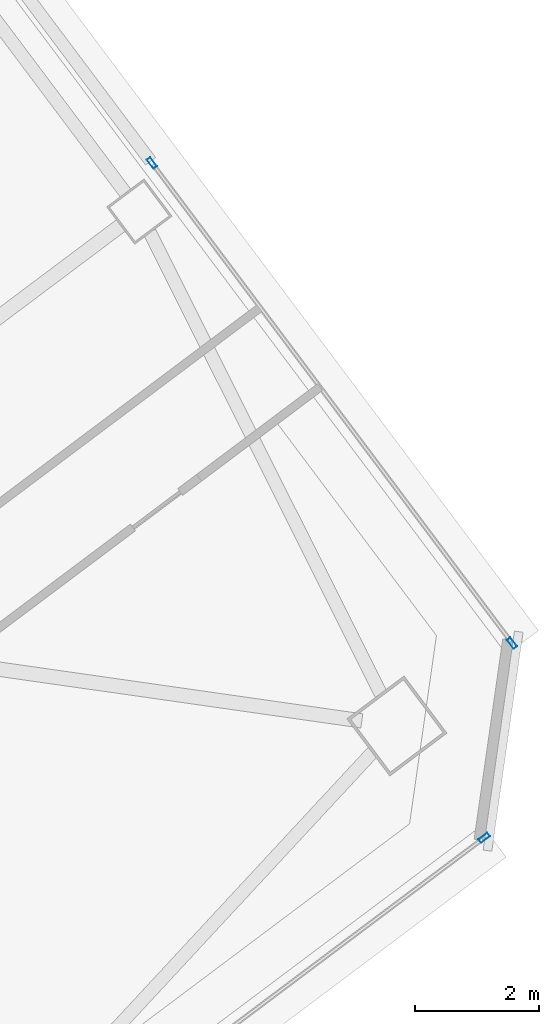
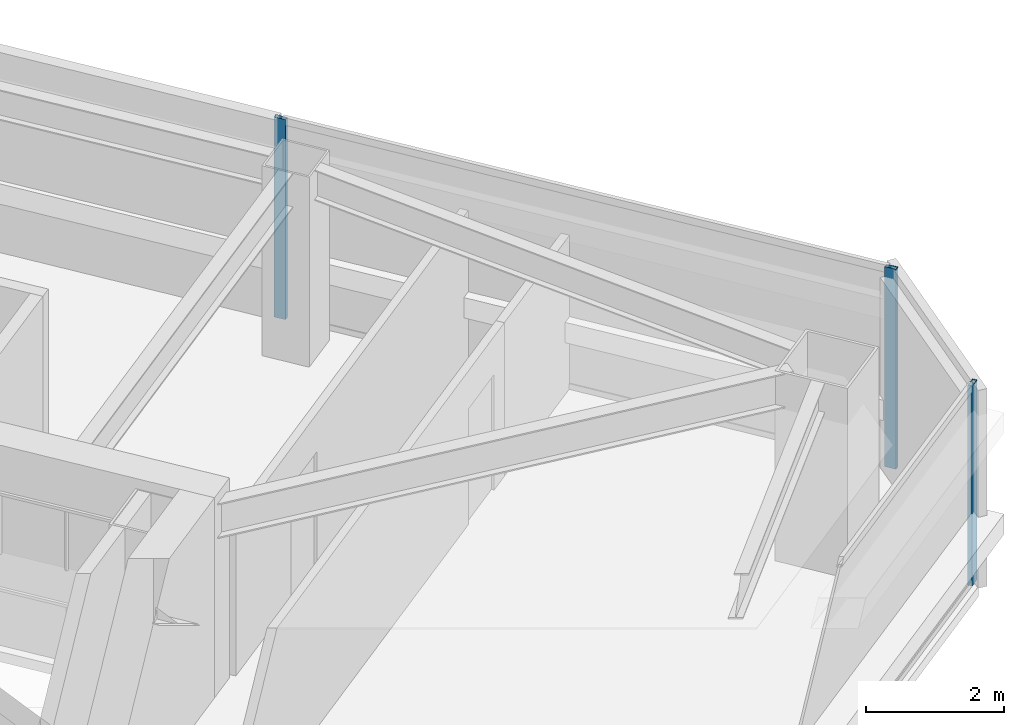
# One storey, part 26 of 41: 3 members, 2 elements without a shape of their own.
"""IFC4 building model written with IfcOpenShell, lengths in metres."""

import ifcopenshell
import ifcopenshell.guid

model = None  # the IFC model being written
_history = None  # IfcOwnerHistory: only IFC2X3 demands one
_inside = {}  # id of a spatial element -> (the spatial element, [elements in it])
_under = {}  # id of a project, library or spatial element -> (it, [spatial elements below it])
_declared = {}  # id of a project -> (the project, [libraries it declares])
_typed = {}  # id of a type object -> (the type object, [elements of that type])
_made_of = {}  # id of a material, layer set ... -> (it, [elements and type objects made of it])


def new_model(schema):
    """Start an empty IFC model of exactly this schema.

    Asked for "IFC4X3", IfcOpenShell would pick the latest addendum, in which some entities
    have other attributes; the version numbers below select the first issue.
    IFC2X3 requires an IfcOwnerHistory on every rooted entity: one is made here for all.
    """
    global model, _history
    if schema == "IFC4X3":
        model = ifcopenshell.file(schema_version=(4, 3, 0, 0))
    else:
        model = ifcopenshell.file(schema=schema)
    _inside.clear()
    _under.clear()
    _declared.clear()
    _typed.clear()
    _made_of.clear()
    _history = None
    if model.schema == "IFC2X3":
        org = make("IfcOrganization", Name="unknown")
        user = make(
            "IfcPersonAndOrganization",
            ThePerson=make("IfcPerson", FamilyName="unknown"),
            TheOrganization=org,
        )
        app = make(
            "IfcApplication",
            ApplicationDeveloper=org,
            Version="unknown",
            ApplicationFullName="unknown",
            ApplicationIdentifier="unknown",
        )
        _history = make(
            "IfcOwnerHistory",
            OwningUser=user,
            OwningApplication=app,
            ChangeAction="ADDED",
            CreationDate=0,
        )
    return model


def make(cls, **values):
    """One entity of the class cls with the attributes given. An attribute that is None is left unset."""
    return model.create_entity(
        cls, **{name: value for name, value in values.items() if value is not None}
    )


def rooted(cls, **values):
    """An entity with a GlobalId (a new one), such as an element, a storey or a relation."""
    return make(cls, GlobalId=ifcopenshell.guid.new(), OwnerHistory=_history, **values)


def si_unit(unit_type, name, prefix=None):
    """IfcSIUnit, for example si_unit("LENGTHUNIT", "METRE", prefix="MILLI")."""
    return make("IfcSIUnit", UnitType=unit_type, Prefix=prefix, Name=name)


def assignment(units):
    """IfcUnitAssignment: the units of a project."""
    return None if units is None else make("IfcUnitAssignment", Units=units)


def point(xyz):
    """IfcCartesianPoint."""
    return None if xyz is None else make("IfcCartesianPoint", Coordinates=xyz)


def direction(xyz):
    """IfcDirection."""
    return None if xyz is None else make("IfcDirection", DirectionRatios=xyz)


def frame(location, z_axis=None, x_axis=None):
    """IfcAxis2Placement3D, a coordinate frame: its origin and axes. An axis left out is left unset."""
    return make(
        "IfcAxis2Placement3D",
        Location=point(location),
        Axis=direction(z_axis),
        RefDirection=direction(x_axis),
    )


def frame_2d(location, x_axis=None):
    """IfcAxis2Placement2D, a coordinate frame in the plane: its origin and x axis."""
    return make(
        "IfcAxis2Placement2D", Location=point(location), RefDirection=direction(x_axis)
    )


def origin():
    """The frame at (0, 0, 0) with its axes left unset."""
    return frame((0.0, 0.0, 0.0))


def origin_2d():
    """The frame at (0, 0) in the plane with its x axis left unset."""
    return frame_2d((0.0, 0.0))


def place(relative_to, where):
    """IfcLocalPlacement: puts the frame where relative to a parent placement (None: the world)."""
    return make(
        "IfcLocalPlacement", PlacementRelTo=relative_to, RelativePlacement=where
    )


def context(
    kind, dimensions, precision=None, world=None, true_north=None, identifier=None
):
    """IfcGeometricRepresentationContext, for example the 3D "Model" context."""
    return make(
        "IfcGeometricRepresentationContext",
        ContextIdentifier=identifier,
        ContextType=kind,
        CoordinateSpaceDimension=dimensions,
        Precision=precision,
        WorldCoordinateSystem=world,
        TrueNorth=true_north,
    )


def subcontext(parent, identifier, kind, view, scale=None):
    """IfcGeometricRepresentationSubContext, for example "Body" below "Model"."""
    return make(
        "IfcGeometricRepresentationSubContext",
        ContextIdentifier=identifier,
        ContextType=kind,
        ParentContext=parent,
        TargetScale=scale,
        TargetView=view,
    )


def project(units=None, contexts=None):
    """IfcProject with its units and contexts."""
    return rooted(
        "IfcProject",
        Name="project",
        RepresentationContexts=contexts,
        UnitsInContext=assignment(units),
    )


def spatial(cls, under=None, at=None, **own):
    """A site, building, storey or space (cls), placed at a placement, below another one or the project."""
    s = rooted(cls, ObjectPlacement=at, **own)
    if under is not None:
        _under.setdefault(under.id(), (under, []))[1].append(s)
    return s


def profile(cls, at=None, kind="AREA", **sizes):
    """A parametric profile (cls). Its sizes go by their IFC names, for example OverallWidth=200.0."""
    return make(cls, ProfileType=kind, Position=at, **sizes)


def hollow_rectangle(**sizes):
    """IfcRectangleHollowProfileDef."""
    return profile("IfcRectangleHollowProfileDef", **sizes)


def extrude(swept, where, along, depth):
    """IfcExtrudedAreaSolid: the profile swept, set in the frame where, extruded along a direction by depth."""
    return make(
        "IfcExtrudedAreaSolid",
        SweptArea=swept,
        Position=where,
        ExtrudedDirection=direction(along),
        Depth=depth,
    )


def shape(context_of_items, identifier, shape_type, items):
    """IfcShapeRepresentation: the items that make up one representation, for example the "Body"."""
    return make(
        "IfcShapeRepresentation",
        ContextOfItems=context_of_items,
        RepresentationIdentifier=identifier,
        RepresentationType=shape_type,
        Items=items,
    )


def material(Name=None, Category=None):
    """IfcMaterial."""
    return make("IfcMaterial", Name=Name, Category=Category)


def material_profile(
    of_material, cross_section, Name=None, Category=None, Priority=None
):
    """IfcMaterialProfile: a cross section and its material."""
    return make(
        "IfcMaterialProfile",
        Name=Name,
        Material=of_material,
        Profile=cross_section,
        Priority=Priority,
        Category=Category,
    )


def profile_set(profiles, Name=None, composite=None):
    """IfcMaterialProfileSet."""
    return make(
        "IfcMaterialProfileSet",
        Name=Name,
        MaterialProfiles=profiles,
        CompositeProfile=composite,
    )


def made_of(thing, what):
    """Note that an element or type object is made of a material, layer set ...; save() writes the relation."""
    if what is not None:
        _made_of.setdefault(what.id(), (what, []))[1].append(thing)
    return thing


def type_object(cls, material=None, **own):
    """A type object (cls), such as IfcWallType, which elements share."""
    return made_of(rooted(cls, **own), material)


def element(
    cls,
    number,
    at=None,
    inside=None,
    cuts=None,
    type_object=None,
    material=None,
    context=None,
    identifier="Body",
    shape_type=None,
    held_by="IfcProductDefinitionShape",
    body=None,
    shapes=None,
    **own,
):
    """One element of the class cls, such as IfcWall. Its Tag is "e" and its number.

    at: its placement. inside: the storey or other place that contains it. cuts: it is an
    opening in that element (IfcRelVoidsElement). A single representation is given by context,
    identifier, shape_type and body (its items); several are given by shapes. held_by: the class
    of the entity that holds the representations. save() writes the other relations.
    """
    e = rooted(cls, Tag="e%d" % number, ObjectPlacement=at, **own)
    if body is not None:
        shapes = [shape(context, identifier, shape_type, body)]
    if shapes is not None:
        e.Representation = make(held_by, Representations=shapes)
    if inside is not None:
        _inside.setdefault(inside.id(), (inside, []))[1].append(e)
    if cuts is not None:
        rooted(
            "IfcRelVoidsElement", RelatingBuildingElement=cuts, RelatedOpeningElement=e
        )
    if type_object is not None:
        _typed.setdefault(type_object.id(), (type_object, []))[1].append(e)
    return made_of(e, material)


def aggregate(whole, parts):
    """IfcRelAggregates: a whole, such as a stair, and the parts it consists of."""
    return rooted("IfcRelAggregates", RelatingObject=whole, RelatedObjects=parts)


def save(model, path):
    """Write the relations noted so far, then the file.

    IfcRelAggregates (storeys below a building ...), IfcRelContainedInSpatialStructure (elements
    in a storey), IfcRelDefinesByType, IfcRelAssociatesMaterial and IfcRelDeclares: one each for
    every whole, place, type object, material and project.
    """
    for whole, parts in _under.values():
        aggregate(whole, parts)
    for where, things in _inside.values():
        rooted(
            "IfcRelContainedInSpatialStructure",
            RelatedElements=things,
            RelatingStructure=where,
        )
    for kind, things in _typed.values():
        rooted("IfcRelDefinesByType", RelatedObjects=things, RelatingType=kind)
    for what, things in _made_of.values():
        rooted("IfcRelAssociatesMaterial", RelatedObjects=things, RelatingMaterial=what)
    for by, libraries in _declared.values():
        rooted("IfcRelDeclares", RelatingContext=by, RelatedDefinitions=libraries)
    model.write(path)


model = new_model("IFC4")

# Units and contexts
model_context = context("Model", 3, precision=1e-05, world=origin(), true_north=direction((0.0, 1.0)))
body_context = subcontext(model_context, "Body", "Model", "MODEL_VIEW")
ifc_project = project(units=[si_unit("LENGTHUNIT", "METRE"), si_unit("AREAUNIT", "SQUARE_METRE"), si_unit("VOLUMEUNIT", "CUBIC_METRE"), si_unit("PLANEANGLEUNIT", "RADIAN"), si_unit("MASSUNIT", "GRAM", prefix="KILO")], contexts=[model_context])

# Site, building, storey
site_placement = place(None, origin())
site = spatial("IfcSite", under=ifc_project, at=site_placement, CompositionType="ELEMENT")
building_placement = place(site_placement, origin())
building = spatial("IfcBuilding", under=site, at=building_placement, Name="Tashvorn Skyway Center", CompositionType="ELEMENT")
storey_placement = place(building_placement, frame((0.0, 0.0, 192.5)))
storey = spatial("IfcBuildingStorey", under=building, at=storey_placement, Name="L52", CompositionType="ELEMENT", Elevation=192.5)

# Curtain wall, member
ifc_material = material(Name="Thermally broken bronze-anodized aluminium 6063-T6", Category="aluminium")
curtain_wall_type = type_object("IfcCurtainWallType", Name="CW-CW-Z4", PredefinedType="NOTDEFINED", material=ifc_material)
curtain_wall_1_placement = place(storey_placement, origin())
curtain_wall_1 = element("IfcCurtainWall", 1, at=curtain_wall_1_placement, inside=storey, type_object=curtain_wall_type, Name="Tower 2 L52 South Unitised Curtain Wall Glazing Group 1", PredefinedType="NOTDEFINED")
ifc_material_profile = material_profile(ifc_material, hollow_rectangle(XDim=0.070068359375, YDim=0.179931640625, WallThickness=0.00390625, at=origin_2d()), Name="ALU-MULL-70x180")
ifc_profile_set = profile_set([ifc_material_profile], Name="Thermally broken bronze-anodized aluminium 6063-T6")
member_type = type_object("IfcMemberType", Name="CWM-CW-Z4", PredefinedType="MULLION", material=ifc_profile_set)
member_1_placement = place(storey_placement, frame((135.7041015625, 27.302978515625, 0.0), z_axis=(0.0, 0.0, 1.0), x_axis=(0.600000000002, -0.799999999998, 0.0)))
member_1 = element("IfcMember", 2, at=member_1_placement, type_object=member_type, Name="CW-Z4 mullion 1", PredefinedType="MULLION", context=body_context, shape_type="SweptSolid", body=[
    extrude(hollow_rectangle(XDim=0.070068359375, YDim=0.179931640625, WallThickness=0.00390625, at=origin_2d()), origin(), (0.0, 0.0, 1.0), 3.550048828125),
])
aggregate(curtain_wall_1, [member_1])

# Curtain wall, members
curtain_wall_2_placement = place(storey_placement, origin())
curtain_wall_2 = element("IfcCurtainWall", 3, at=curtain_wall_2_placement, inside=storey, type_object=curtain_wall_type, Name="Tower 2 L52 East Unitised Curtain Wall Glazing Group 2", PredefinedType="NOTDEFINED")
member_2_placement = place(storey_placement, frame((130.361083984375, 38.152099609375, 0.0), z_axis=(0.0, 0.0, 1.0), x_axis=(0.799999999998, 0.600000000002, 0.0)))
member_2 = element("IfcMember", 4, at=member_2_placement, type_object=member_type, Name="CW-Z4 mullion 1", PredefinedType="MULLION", context=body_context, shape_type="SweptSolid", body=[
    extrude(hollow_rectangle(XDim=0.070068359375, YDim=0.179931640625, WallThickness=0.00390625, at=origin_2d()), origin(), (0.0, 0.0, 1.0), 3.550048828125),
])
member_3_placement = place(storey_placement, frame((136.15087890625, 30.431884765625, 0.0), z_axis=(0.0, 0.0, 1.0), x_axis=(0.799999999998, 0.600000000002, 0.0)))
member_3 = element("IfcMember", 5, at=member_3_placement, type_object=member_type, Name="CW-Z4 mullion 2", PredefinedType="MULLION", context=body_context, shape_type="SweptSolid", body=[
    extrude(hollow_rectangle(XDim=0.070068359375, YDim=0.179931640625, WallThickness=0.00390625, at=origin_2d()), origin(), (0.0, 0.0, 1.0), 3.550048828125),
])
aggregate(curtain_wall_2, [member_2, member_3])

save(model, "model.ifc")
